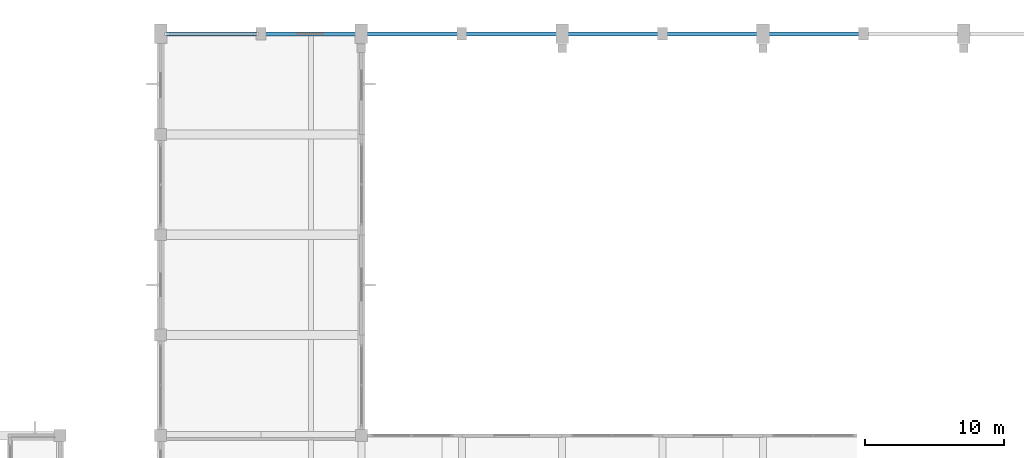
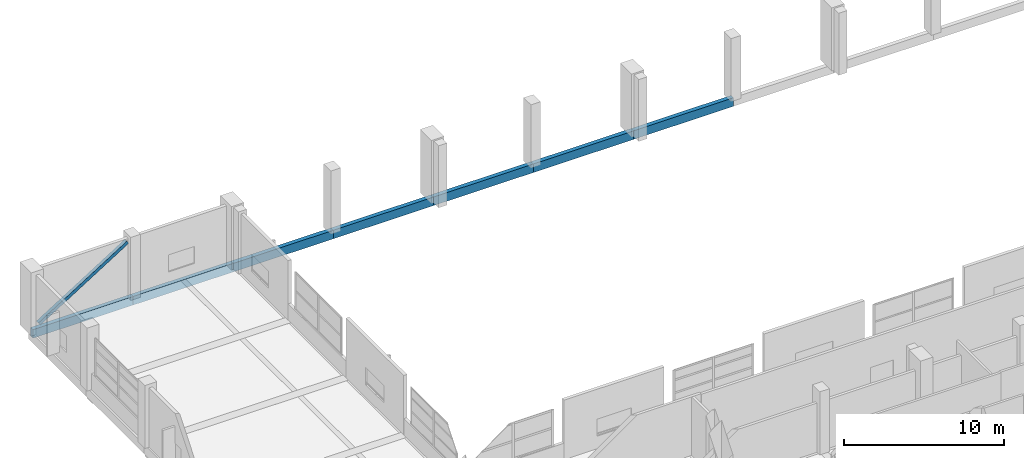
# One storey, part 84 of 181: 7 beams, 1 member.
"""IFC4 building model written with IfcOpenShell, lengths in metres."""

from ifc_helpers import new_model, si_unit, direction, frame, origin, origin_2d, place, context, subcontext, project, spatial, rectangle, hollow_rectangle, extrude, material, material_profile, profile_set, type_object, element, save


model = new_model("IFC4")

# Units and contexts
model_context = context("Model", 3, precision=1e-05, world=origin(), true_north=direction((0.0, 1.0)))
body_context = subcontext(model_context, "Body", "Model", "MODEL_VIEW")
ifc_project = project(units=[si_unit("LENGTHUNIT", "METRE"), si_unit("AREAUNIT", "SQUARE_METRE"), si_unit("VOLUMEUNIT", "CUBIC_METRE"), si_unit("PLANEANGLEUNIT", "RADIAN"), si_unit("MASSUNIT", "GRAM", prefix="KILO")], contexts=[model_context])

# Site, building, storey
site_placement = place(None, origin())
site = spatial("IfcSite", under=ifc_project, at=site_placement, CompositionType="ELEMENT")
building_placement = place(site_placement, origin())
building = spatial("IfcBuilding", under=site, at=building_placement, Name="Seraya Terrace Polytechnic", CompositionType="ELEMENT")
storey_placement = place(building_placement, frame((0.0, 0.0, 4.800048828125)))
storey = spatial("IfcBuildingStorey", under=building, at=storey_placement, Name="L01", CompositionType="ELEMENT", Elevation=4.800048828125)

# Member
ifc_material_1 = material(Name="Steel S355J2", Category="steel")
ifc_material_profile_1 = material_profile(ifc_material_1, hollow_rectangle(XDim=0.25, YDim=0.25, WallThickness=0.012451171875, at=origin_2d()), Name="SHS 250x250x12.5")
ifc_profile_set_1 = profile_set([ifc_material_profile_1], Name="Steel S355J2")
member_type = type_object("IfcMemberType", Name="BR-04", PredefinedType="BRACE", material=ifc_profile_set_1)
member_placement = place(storey_placement, frame((14.864990234375, 115.199951171875, 0.25), z_axis=(0.846880470544, 0.0, 0.531783291024), x_axis=(0.0, 1.0, 0.0)))
element("IfcMember", 1, at=member_placement, inside=storey, type_object=member_type, Name="Solid-bay vertical wind brace L01 NW", PredefinedType="BRACE", context=body_context, shape_type="SweptSolid", body=[
    extrude(hollow_rectangle(XDim=0.25, YDim=0.25, WallThickness=0.012451171875, at=origin_2d()), origin(), (0.0, 0.0, 1.0), 7.52197265625),
])

# Beams
ifc_material_2 = material(Name="Concrete C40/50", Category="concrete")
ifc_material_profile_2 = material_profile(ifc_material_2, rectangle(XDim=0.300048828125, YDim=0.64990234375, at=origin_2d()), Name="RC 300x650")
ifc_profile_set_2 = profile_set([ifc_material_profile_2], Name="Concrete C40/50")
beam_type = type_object("IfcBeamType", Name="SP-01", PredefinedType="SPANDREL", material=ifc_profile_set_2)
beam_1_placement = place(storey_placement, frame((14.39990234375, 115.199951171875, -0.324951171875), z_axis=(1.0, 0.0, 0.0), x_axis=(0.0, 1.0, 0.0)))
element("IfcBeam", 2, at=beam_1_placement, inside=storey, type_object=beam_type, Name="Beam SP-01 L01 X (14.4..21.6, 115.2)", PredefinedType="SPANDREL", context=body_context, shape_type="SweptSolid", body=[
    extrude(rectangle(XDim=0.300048828125, YDim=0.64990234375, at=origin_2d()), origin(), (0.0, 0.0, 1.0), 7.2001953125),
])
for number, where, z_axis, x_axis, name in (
    (3, (21.60009765625, 115.199951171875, -0.324951171875), (1.0, 0.0, 0.0), (0.0, 1.0, 0.0), "Beam SP-01 L01 X (21.6..28.8, 115.2)"),
    (4, (28.800048828125, 115.199951171875, -0.324951171875), (1.0, 0.0, 0.0), (0.0, 1.0, 0.0), "Beam SP-01 L01 X (28.8..36.0, 115.2)"),
    (5, (36.0, 115.199951171875, -0.324951171875), (1.0, 0.0, 0.0), (0.0, 1.0, 0.0), "Beam SP-01 L01 X (36.0..43.2, 115.2)"),
    (6, (43.199951171875, 115.199951171875, -0.324951171875), (1.0, 0.0, 0.0), (0.0, 1.0, 0.0), "Beam SP-01 L01 X (43.2..50.4, 115.2)"),
):
    element("IfcBeam", number, at=place(storey_placement, frame(where, z_axis=z_axis, x_axis=x_axis)), inside=storey, type_object=beam_type, Name=name, PredefinedType="SPANDREL", context=body_context, shape_type="SweptSolid", body=[
        extrude(rectangle(XDim=0.300048828125, YDim=0.64990234375, at=origin_2d()), origin(), (0.0, 0.0, 1.0), 7.199951171875),
    ])
beam_2_placement = place(storey_placement, frame((50.39990234375, 115.199951171875, -0.324951171875), z_axis=(1.0, 0.0, 0.0), x_axis=(0.0, 1.0, 0.0)))
element("IfcBeam", 7, at=beam_2_placement, inside=storey, type_object=beam_type, Name="Beam SP-01 L01 X (50.4..57.6, 115.2)", PredefinedType="SPANDREL", context=body_context, shape_type="SweptSolid", body=[
    extrude(rectangle(XDim=0.300048828125, YDim=0.64990234375, at=origin_2d()), origin(), (0.0, 0.0, 1.0), 7.2001953125),
])
beam_3_placement = place(storey_placement, frame((57.60009765625, 115.199951171875, -0.324951171875), z_axis=(1.0, 0.0, 0.0), x_axis=(0.0, 1.0, 0.0)))
element("IfcBeam", 8, at=beam_3_placement, inside=storey, type_object=beam_type, Name="Beam SP-01 L01 X (57.6..64.8, 115.2)", PredefinedType="SPANDREL", context=body_context, shape_type="SweptSolid", body=[
    extrude(rectangle(XDim=0.300048828125, YDim=0.64990234375, at=origin_2d()), origin(), (0.0, 0.0, 1.0), 7.199951171875),
])

save(model, "model.ifc")
